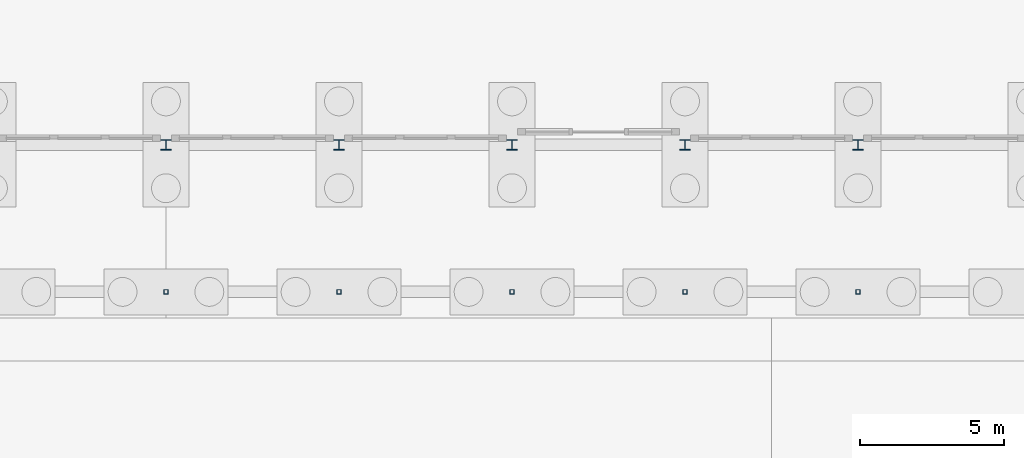
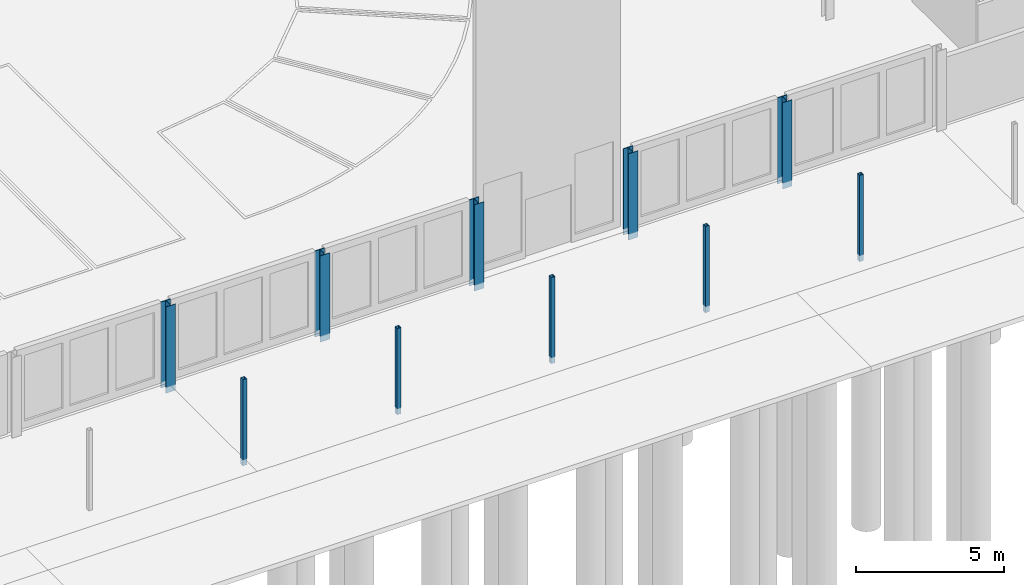
# One storey, part 10 of 130: 10 columns.
"""IFC4 building model written with IfcOpenShell, lengths in metres."""

from ifc_helpers import new_model, si_unit, direction, frame, origin, origin_2d, place, context, subcontext, project, spatial, hollow_rectangle, i_section, extrude, material, material_profile, profile_set, type_object, element, save


model = new_model("IFC4")

# Units and contexts
model_context = context("Model", 3, precision=1e-05, world=origin(), true_north=direction((0.0, 1.0)))
body_context = subcontext(model_context, "Body", "Model", "MODEL_VIEW")
ifc_project = project(units=[si_unit("LENGTHUNIT", "METRE"), si_unit("AREAUNIT", "SQUARE_METRE"), si_unit("VOLUMEUNIT", "CUBIC_METRE"), si_unit("PLANEANGLEUNIT", "RADIAN"), si_unit("MASSUNIT", "GRAM", prefix="KILO")], contexts=[model_context])

# Site, building, storey
site_placement = place(None, origin())
site = spatial("IfcSite", under=ifc_project, at=site_placement, CompositionType="ELEMENT")
building_placement = place(site_placement, origin())
building = spatial("IfcBuilding", under=site, at=building_placement, Name="Parallax Yard Mobility Hub", CompositionType="ELEMENT")
storey_placement = place(building_placement, origin())
storey = spatial("IfcBuildingStorey", under=building, at=storey_placement, Name="L00", CompositionType="ELEMENT", Elevation=0.0)

# Columns
ifc_material_1 = material(Name="Steel ASTM A500 Gr C", Category="steel")
ifc_material_profile_1 = material_profile(ifc_material_1, hollow_rectangle(XDim=0.15234375, YDim=0.15234375, WallThickness=0.009521484375, at=origin_2d()), Name="HSS152x152x9.5")
ifc_profile_set_1 = profile_set([ifc_material_profile_1], Name="Steel ASTM A500 Gr C")
column_type_1 = type_object("IfcColumnType", Name="Roof column HSS152x152x9.5", PredefinedType="COLUMN", material=ifc_profile_set_1)
for number, where, z_axis, x_axis, name in (
    (1, (39.0, 2.39990234375, -0.25), (0.0, 0.0, 1.0), (1.0, 0.0, 0.0), "Arcade column V1 6 level L00"),
    (2, (45.0, 2.39990234375, -0.25), (0.0, 0.0, 1.0), (1.0, 0.0, 0.0), "Arcade column V1 7 level L00"),
    (3, (51.0, 2.39990234375, -0.25), (0.0, 0.0, 1.0), (1.0, 0.0, 0.0), "Arcade column V1 8 level L00"),
    (4, (57.0, 2.39990234375, -0.25), (0.0, 0.0, 1.0), (1.0, 0.0, 0.0), "Arcade column V1 9 level L00"),
    (5, (63.0, 2.39990234375, -0.25), (0.0, 0.0, 1.0), (1.0, 0.0, 0.0), "Arcade column V1 10 level L00"),
):
    element("IfcColumn", number, at=place(storey_placement, frame(where, z_axis=z_axis, x_axis=x_axis)), inside=storey, type_object=column_type_1, Name=name, PredefinedType="COLUMN", context=body_context, shape_type="SweptSolid", body=[
        extrude(hollow_rectangle(XDim=0.15234375, YDim=0.15234375, WallThickness=0.009521484375, at=origin_2d()), origin(), (0.0, 0.0, 1.0), 3.550048828125),
    ])
ifc_material_2 = material(Name="Steel ASTM A992", Category="steel")
ifc_material_profile_2 = material_profile(ifc_material_2, i_section(OverallWidth=0.373046875, OverallDepth=0.367919921875, WebThickness=0.014892578125, FlangeThickness=0.02392578125, FilletRadius=0.01513671875, at=origin_2d()), Name="W360x179")
ifc_profile_set_2 = profile_set([ifc_material_profile_2], Name="Steel ASTM A992")
column_type_2 = type_object("IfcColumnType", Name="W360x179 column", PredefinedType="COLUMN", material=ifc_profile_set_2)
for number, where, z_axis, x_axis, name in (
    (6, (39.0, 7.5, -0.25), (0.0, 0.0, 1.0), (1.0, 0.0, 0.0), "Column C7 level L00 at F6/B of bus and taxi deck"),
    (7, (45.0, 7.5, -0.25), (0.0, 0.0, 1.0), (1.0, 0.0, 0.0), "Column C7 level L00 at F7/B of bus and taxi deck"),
    (8, (51.0, 7.5, -0.25), (0.0, 0.0, 1.0), (1.0, 0.0, 0.0), "Column C7 level L00 at F8/B of bus and taxi deck"),
    (9, (57.0, 7.5, -0.25), (0.0, 0.0, 1.0), (1.0, 0.0, 0.0), "Column C7 level L00 at F9/B of bus and taxi deck"),
    (10, (63.0, 7.5, -0.25), (0.0, 0.0, 1.0), (1.0, 0.0, 0.0), "Column C7 level L00 at F10/B of bus and taxi deck"),
):
    element("IfcColumn", number, at=place(storey_placement, frame(where, z_axis=z_axis, x_axis=x_axis)), inside=storey, type_object=column_type_2, Name=name, PredefinedType="COLUMN", context=body_context, shape_type="SweptSolid", body=[
        extrude(i_section(OverallWidth=0.373046875, OverallDepth=0.367919921875, WebThickness=0.014892578125, FlangeThickness=0.02392578125, FilletRadius=0.01513671875, at=origin_2d()), origin(), (0.0, 0.0, 1.0), 3.550048828125),
    ])

save(model, "model.ifc")
